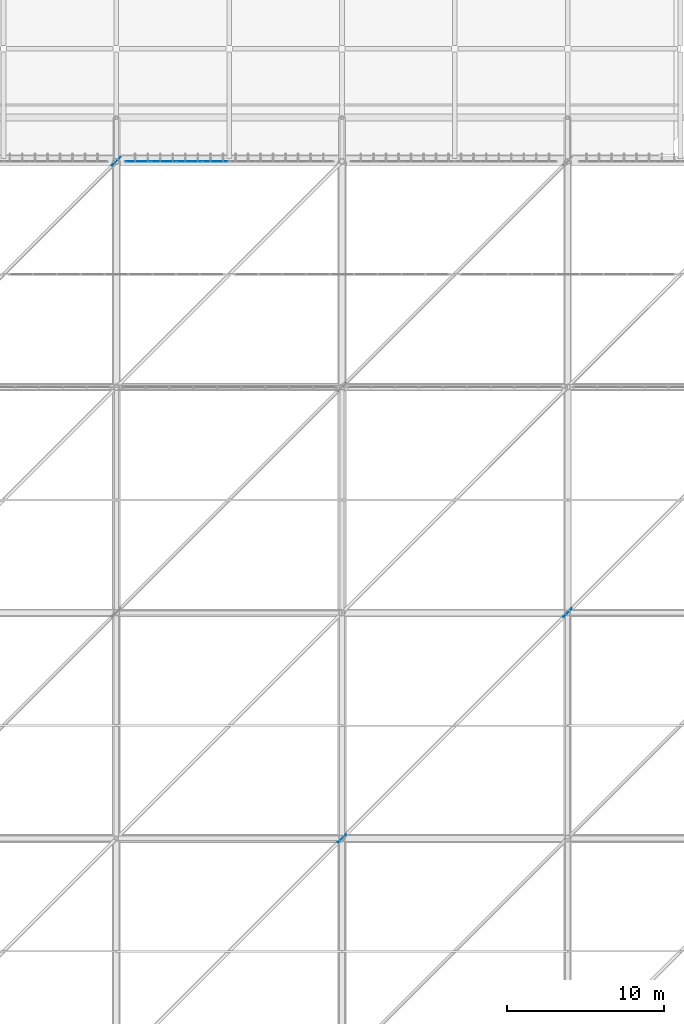
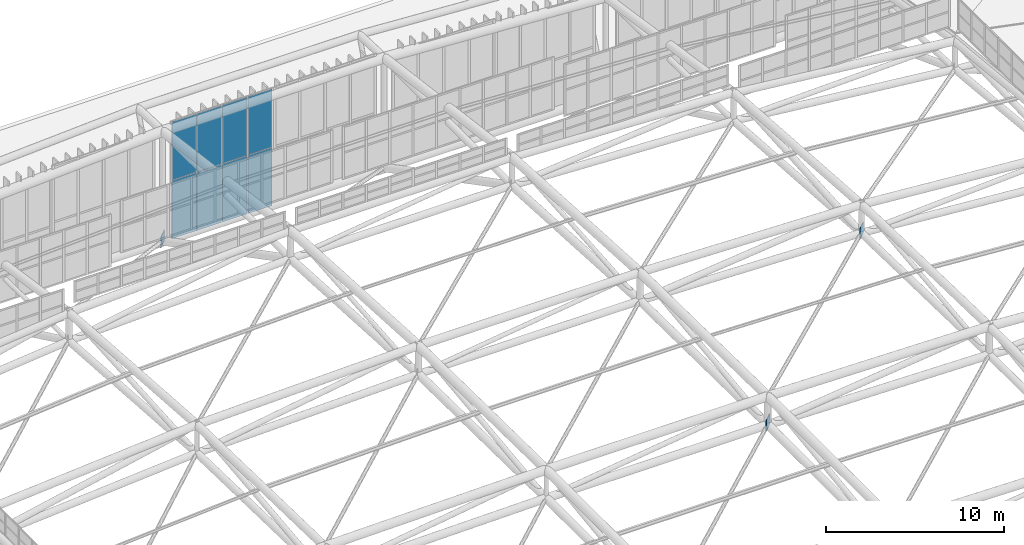
# One storey, part 378 of 397: 11 plates, 1 element without a shape of its own.
"""IFC4 building model written with IfcOpenShell, lengths in metres."""

from ifc_helpers import new_model, si_unit, direction, frame, origin, origin_2d, place, context, subcontext, project, spatial, rectangle, extrude, material, layer, layer_set, type_object, element, aggregate, save


model = new_model("IFC4")

# Units and contexts
model_context = context("Model", 3, precision=1e-05, world=origin(), true_north=direction((0.0, 1.0)))
body_context = subcontext(model_context, "Body", "Model", "MODEL_VIEW")
ifc_project = project(units=[si_unit("LENGTHUNIT", "METRE"), si_unit("AREAUNIT", "SQUARE_METRE"), si_unit("VOLUMEUNIT", "CUBIC_METRE"), si_unit("PLANEANGLEUNIT", "RADIAN"), si_unit("MASSUNIT", "GRAM", prefix="KILO")], contexts=[model_context])

# Site, building, storey
site_placement = place(None, origin())
site = spatial("IfcSite", under=ifc_project, at=site_placement, CompositionType="ELEMENT")
building_placement = place(site_placement, origin())
building = spatial("IfcBuilding", under=site, at=building_placement, Name="Qandorah Velis Arena", CompositionType="ELEMENT")
storey_placement = place(building_placement, frame((0.0, 0.0, 27.5)))
storey = spatial("IfcBuildingStorey", under=building, at=storey_placement, Name="RF", CompositionType="ELEMENT", Elevation=27.5)

# Curtain wall, plates
ifc_material_1 = material(Name="Solar-control low-E double glazing", Category="glass")
curtain_wall_type = type_object("IfcCurtainWallType", Name="ARC-CW-SYS04", PredefinedType="USERDEFINED", material=ifc_material_1)
curtain_wall_placement = place(storey_placement, origin())
curtain_wall = element("IfcCurtainWall", 1, at=curtain_wall_placement, inside=storey, type_object=curtain_wall_type, Name="Unitised curtain wall CROWN-4-04S1", ObjectType="UNITISED CURTAIN WALL", PredefinedType="USERDEFINED")
ifc_layer_1 = layer(ifc_material_1, 0.035888671875)
ifc_layer_set_1 = layer_set([ifc_layer_1], Name="Solar-control low-E double glazing")
plate_type_1 = type_object("IfcPlateType", Name="ARC-CWP-GLZ36", PredefinedType="CURTAIN_PANEL", material=ifc_layer_set_1)
plate_1_placement = place(storey_placement, frame((58.9912109375, 115.199951171875, 0.050048828125), z_axis=(0.0, 0.0, 1.0), x_axis=(1.0, 0.0, 0.0)))
plate_1 = element("IfcPlate", 2, at=plate_1_placement, type_object=plate_type_1, Name="CW04 panel 1.1", PredefinedType="CURTAIN_PANEL", context=body_context, shape_type="SweptSolid", body=[
    extrude(rectangle(XDim=1.58251953125, YDim=0.035888671875, at=origin_2d()), origin(), (0.0, 0.0, 1.0), 3.990234375),
])
plate_2_placement = place(storey_placement, frame((58.9912109375, 115.199951171875, 4.080078125), z_axis=(0.0, 0.0, 1.0), x_axis=(1.0, 0.0, 0.0)))
plate_2 = element("IfcPlate", 3, at=plate_2_placement, type_object=plate_type_1, Name="CW04 panel 1.2", PredefinedType="CURTAIN_PANEL", context=body_context, shape_type="SweptSolid", body=[
    extrude(rectangle(XDim=1.58251953125, YDim=0.035888671875, at=origin_2d()), origin(), (0.0, 0.0, 1.0), 3.990478515625),
])
plate_3_placement = place(storey_placement, frame((60.628662109375, 115.199951171875, 0.050048828125), z_axis=(0.0, 0.0, 1.0), x_axis=(1.0, 0.0, 0.0)))
plate_3 = element("IfcPlate", 4, at=plate_3_placement, type_object=plate_type_1, Name="CW04 panel 2.1", PredefinedType="CURTAIN_PANEL", context=body_context, shape_type="SweptSolid", body=[
    extrude(rectangle(XDim=1.612548828125, YDim=0.035888671875, at=origin_2d()), origin(), (0.0, 0.0, 1.0), 3.990234375),
])
plate_4_placement = place(storey_placement, frame((60.628662109375, 115.199951171875, 4.080078125), z_axis=(0.0, 0.0, 1.0), x_axis=(1.0, 0.0, 0.0)))
plate_4 = element("IfcPlate", 5, at=plate_4_placement, type_object=plate_type_1, Name="CW04 panel 2.2", PredefinedType="CURTAIN_PANEL", context=body_context, shape_type="SweptSolid", body=[
    extrude(rectangle(XDim=1.612548828125, YDim=0.035888671875, at=origin_2d()), origin(), (0.0, 0.0, 1.0), 3.990478515625),
])
plate_5_placement = place(storey_placement, frame((62.28125, 115.199951171875, 0.050048828125), z_axis=(0.0, 0.0, 1.0), x_axis=(1.0, 0.0, 0.0)))
plate_5 = element("IfcPlate", 6, at=plate_5_placement, type_object=plate_type_1, Name="CW04 panel 3.1", PredefinedType="CURTAIN_PANEL", context=body_context, shape_type="SweptSolid", body=[
    extrude(rectangle(XDim=1.612548828125, YDim=0.035888671875, at=origin_2d()), origin(), (0.0, 0.0, 1.0), 3.990234375),
])
plate_6_placement = place(storey_placement, frame((62.28125, 115.199951171875, 4.080078125), z_axis=(0.0, 0.0, 1.0), x_axis=(1.0, 0.0, 0.0)))
plate_6 = element("IfcPlate", 7, at=plate_6_placement, type_object=plate_type_1, Name="CW04 panel 3.2", PredefinedType="CURTAIN_PANEL", context=body_context, shape_type="SweptSolid", body=[
    extrude(rectangle(XDim=1.612548828125, YDim=0.035888671875, at=origin_2d()), origin(), (0.0, 0.0, 1.0), 3.990478515625),
])
plate_7_placement = place(storey_placement, frame((63.918701171875, 115.199951171875, 0.050048828125), z_axis=(0.0, 0.0, 1.0), x_axis=(1.0, 0.0, 0.0)))
plate_7 = element("IfcPlate", 8, at=plate_7_placement, type_object=plate_type_1, Name="CW04 panel 4.1", PredefinedType="CURTAIN_PANEL", context=body_context, shape_type="SweptSolid", body=[
    extrude(rectangle(XDim=1.58251953125, YDim=0.035888671875, at=origin_2d()), origin(), (0.0, 0.0, 1.0), 3.990234375),
])
plate_8_placement = place(storey_placement, frame((63.918701171875, 115.199951171875, 4.080078125), z_axis=(0.0, 0.0, 1.0), x_axis=(1.0, 0.0, 0.0)))
plate_8 = element("IfcPlate", 9, at=plate_8_placement, type_object=plate_type_1, Name="CW04 panel 4.2", PredefinedType="CURTAIN_PANEL", context=body_context, shape_type="SweptSolid", body=[
    extrude(rectangle(XDim=1.58251953125, YDim=0.035888671875, at=origin_2d()), origin(), (0.0, 0.0, 1.0), 3.990478515625),
])
aggregate(curtain_wall, [plate_1, plate_2, plate_3, plate_4, plate_5, plate_6, plate_7, plate_8])

# Plates
ifc_material_2 = material(Name="Steel S355", Category="steel")
ifc_layer_2 = layer(ifc_material_2, 0.031982421875)
ifc_layer_set_2 = layer_set([ifc_layer_2], Name="Steel S355")
plate_type_2 = type_object("IfcPlateType", Name="STR-PLT-GUS32", PredefinedType="SHEET", material=ifc_layer_set_2)
for number, where, z_axis, x_axis, name in (
    (10, (57.60009765625, 115.199951171875, -0.125), (0.0, 0.0, 1.0), (0.707106781187, 0.707106781187, 0.0), "Space frame gusset plate 3.7"),
    (11, (86.39990234375, 86.39990234375, 7.813720703125), (0.0, 0.0, 1.0), (0.707106781187, 0.707106781187, 0.0), "Space frame gusset plate 5.5"),
):
    element("IfcPlate", number, at=place(storey_placement, frame(where, z_axis=z_axis, x_axis=x_axis)), inside=storey, type_object=plate_type_2, Name=name, PredefinedType="SHEET", context=body_context, shape_type="SweptSolid", body=[
        extrude(rectangle(XDim=0.75, YDim=0.031982421875, at=origin_2d()), origin(), (0.0, 0.0, 1.0), 0.75),
    ])
ifc_layer_3 = layer(ifc_material_2, 0.0400390625)
ifc_layer_set_3 = layer_set([ifc_layer_3], Name="Steel S355")
plate_type_3 = type_object("IfcPlateType", Name="STR-PLT-GUS40", PredefinedType="SHEET", material=ifc_layer_set_3)
plate_9_placement = place(storey_placement, frame((72.0, 72.0, 8.40673828125), z_axis=(0.0, 0.0, 1.0), x_axis=(0.707106781187, 0.707106781187, 0.0)))
element("IfcPlate", 12, at=plate_9_placement, inside=storey, type_object=plate_type_3, Name="Space frame gusset plate 4.4", PredefinedType="SHEET", context=body_context, shape_type="SweptSolid", body=[
    extrude(rectangle(XDim=0.75, YDim=0.0400390625, at=origin_2d()), origin(), (0.0, 0.0, 1.0), 0.75),
])

save(model, "model.ifc")
